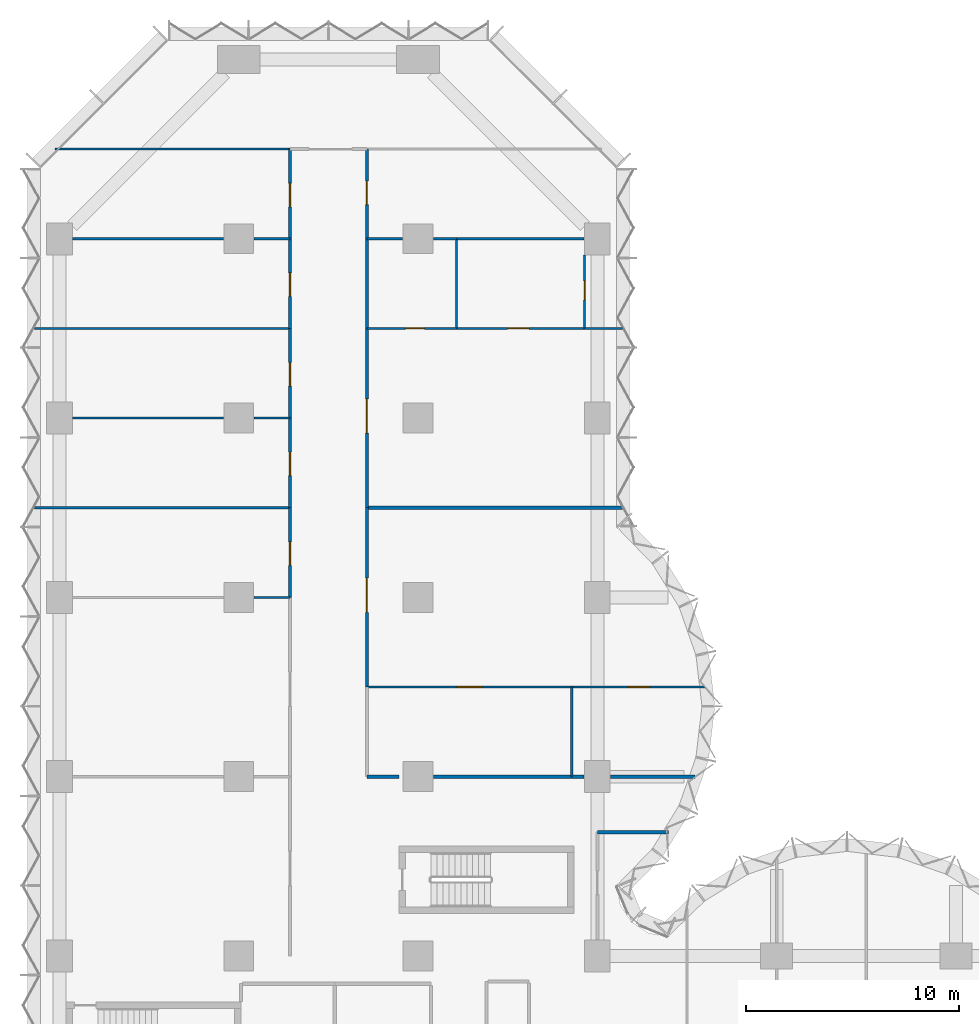
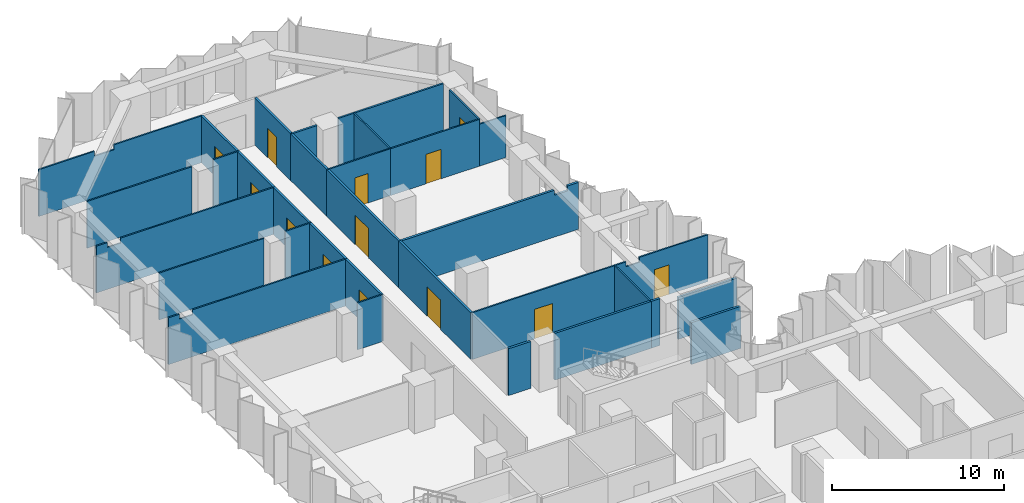
# One storey, part 11 of 15: 34 walls, 13 doors, 13 openings.
"""IFC4 building model written with IfcOpenShell, lengths in metres."""

from ifc_helpers import new_model, si_unit, direction, frame, frame_2d, origin, place, context, subcontext, project, spatial, polyline, rectangle, outline, extrude, material, layer, layer_set, type_object, element, fill, save


model = new_model("IFC4")

# Units and contexts
model_context = context("Model", 3, precision=1e-05, world=origin(), true_north=direction((0.0, 1.0)))
body_context = subcontext(model_context, "Body", "Model", "MODEL_VIEW")
ifc_project = project(units=[si_unit("LENGTHUNIT", "METRE"), si_unit("AREAUNIT", "SQUARE_METRE"), si_unit("VOLUMEUNIT", "CUBIC_METRE"), si_unit("PLANEANGLEUNIT", "RADIAN"), si_unit("MASSUNIT", "GRAM", prefix="KILO")], contexts=[model_context])

# Site, building, storey
site_placement = place(None, origin())
site = spatial("IfcSite", under=ifc_project, at=site_placement, CompositionType="ELEMENT")
building_placement = place(site_placement, origin())
building = spatial("IfcBuilding", under=site, at=building_placement, Name="Brevane Broadcast Tower", CompositionType="ELEMENT")
storey_placement = place(building_placement, frame((0.0, 0.0, 72.5)))
storey = spatial("IfcBuildingStorey", under=building, at=storey_placement, Name="L16", CompositionType="ELEMENT", Elevation=72.5)

# Walls
ifc_material_1 = material(Name="Gypsum board partition")
ifc_layer_1 = layer(ifc_material_1, 0.10009765625)
ifc_layer_set_1 = layer_set([ifc_layer_1], Name="PARTITION 100 STUD")
wall_type_1 = type_object("IfcWallType", Name="PARTITION 100 STUD", PredefinedType="PARTITIONING", material=ifc_layer_set_1)
wall_1_placement = place(storey_placement, frame((10.800048828125, 63.0, 0.0), z_axis=(0.0, 0.0, 1.0), x_axis=(-1.0, 0.0, 0.0)))
element("IfcWall", 1, at=wall_1_placement, inside=storey, type_object=wall_type_1, Name="Partition G04-054", PredefinedType="PARTITIONING", context=body_context, shape_type="SweptSolid", body=[
    extrude(outline(polyline([(0.0, 0.0), (11.0, 0.0), (11.0, 3.330078125), (7.265625, 3.330078125), (7.263671875, 2.97998046875), (5.936279296875, 2.97998046875), (5.934326171875, 3.330078125), (0.0, 3.330078125), (0.0, 0.0)])), frame((0.0, 0.050048828125, 0.0), z_axis=(0.0, -1.0, 0.0), x_axis=(1.0, 0.0, 0.0)), (0.0, 0.0, 1.0), 0.10009765625),
])
wall_2_placement = place(storey_placement, frame((9.1201171875, 42.0, 0.0), z_axis=(0.0, 0.0, 1.0), x_axis=(1.0, 0.0, 0.0)))
element("IfcWall", 2, at=wall_2_placement, inside=storey, type_object=wall_type_1, Name="Partition G04-059", PredefinedType="PARTITIONING", context=body_context, shape_type="SweptSolid", body=[
    extrude(rectangle(XDim=1.679931640625, YDim=0.10009765625, at=frame_2d((0.83984375, 0.0))), origin(), (0.0, 0.0, 1.0), 3.330078125),
])
wall_3_placement = place(storey_placement, frame((-1.174072265625, 46.199951171875, 0.0), z_axis=(0.0, 0.0, 1.0), x_axis=(1.0, 0.0, 0.0)))
element("IfcWall", 3, at=wall_3_placement, inside=storey, type_object=wall_type_1, Name="Partition G04-060", PredefinedType="PARTITIONING", context=body_context, shape_type="SweptSolid", body=[
    extrude(outline(polyline([(0.0, 0.0), (11.97412109375, 0.0), (11.97412109375, 3.330078125), (1.6240234375, 3.330078125), (1.6220703125, 2.97998046875), (0.72607421875, 2.97998046875), (0.72412109375, 3.330078125), (0.073974609375, 3.330078125), (0.0, 3.330078125), (0.0, 0.0)])), frame((0.0, 0.050048828125, 0.0), z_axis=(0.0, -1.0, 0.0), x_axis=(1.0, 0.0, 0.0)), (0.0, 0.0, 1.0), 0.10009765625),
])
wall_4_placement = place(storey_placement, frame((0.6201171875, 50.39990234375, 0.0), z_axis=(0.0, 0.0, 1.0), x_axis=(1.0, 0.0, 0.0)))
element("IfcWall", 4, at=wall_4_placement, inside=storey, type_object=wall_type_1, Name="Partition G04-061", PredefinedType="PARTITIONING", context=body_context, shape_type="SweptSolid", body=[
    extrude(rectangle(XDim=7.059814453125, YDim=0.10009765625, at=frame_2d((3.52978515625, 0.0))), origin(), (0.0, 0.0, 1.0), 3.330078125),
])
wall_5_placement = place(storey_placement, frame((9.1201171875, 50.39990234375, 0.0), z_axis=(0.0, 0.0, 1.0), x_axis=(1.0, 0.0, 0.0)))
element("IfcWall", 5, at=wall_5_placement, inside=storey, type_object=wall_type_1, Name="Partition G04-062", PredefinedType="PARTITIONING", context=body_context, shape_type="SweptSolid", body=[
    extrude(rectangle(XDim=1.679931640625, YDim=0.10009765625, at=frame_2d((0.83984375, 0.0))), origin(), (0.0, 0.0, 1.0), 3.330078125),
])
wall_6_placement = place(storey_placement, frame((-1.174072265625, 54.60009765625, 0.0), z_axis=(0.0, 0.0, 1.0), x_axis=(1.0, 0.0, 0.0)))
element("IfcWall", 6, at=wall_6_placement, inside=storey, type_object=wall_type_1, Name="Partition G04-063", PredefinedType="PARTITIONING", context=body_context, shape_type="SweptSolid", body=[
    extrude(outline(polyline([(0.0, 0.0), (11.97412109375, 0.0), (11.97412109375, 3.330078125), (1.6240234375, 3.330078125), (1.6220703125, 2.97998046875), (0.72607421875, 2.97998046875), (0.72412109375, 3.330078125), (0.073974609375, 3.330078125), (0.0, 3.330078125), (0.0, 0.0)])), frame((0.0, 0.050048828125, 0.0), z_axis=(0.0, -1.0, 0.0), x_axis=(1.0, 0.0, 0.0)), (0.0, 0.0, 1.0), 0.10009765625),
])
wall_7_placement = place(storey_placement, frame((0.6201171875, 58.800048828125, 0.0), z_axis=(0.0, 0.0, 1.0), x_axis=(1.0, 0.0, 0.0)))
element("IfcWall", 7, at=wall_7_placement, inside=storey, type_object=wall_type_1, Name="Partition G04-064", PredefinedType="PARTITIONING", context=body_context, shape_type="SweptSolid", body=[
    extrude(rectangle(XDim=7.059814453125, YDim=0.10009765625, at=frame_2d((3.52978515625, 0.0))), origin(), (0.0, 0.0, 1.0), 3.330078125),
])
wall_8_placement = place(storey_placement, frame((9.1201171875, 58.800048828125, 0.0), z_axis=(0.0, 0.0, 1.0), x_axis=(1.0, 0.0, 0.0)))
element("IfcWall", 8, at=wall_8_placement, inside=storey, type_object=wall_type_1, Name="Partition G04-065", PredefinedType="PARTITIONING", context=body_context, shape_type="SweptSolid", body=[
    extrude(rectangle(XDim=1.679931640625, YDim=0.10009765625, at=frame_2d((0.83984375, 0.0))), origin(), (0.0, 0.0, 1.0), 3.330078125),
])

# Wall, opening, door
wall_9_placement = place(storey_placement, frame((24.0, 37.800048828125, 0.0), z_axis=(0.0, 0.0, 1.0), x_axis=(-1.0, 0.0, 0.0)))
wall_9 = element("IfcWall", 9, at=wall_9_placement, inside=storey, type_object=wall_type_1, Name="Partition G04-066", PredefinedType="PARTITIONING", context=body_context, shape_type="SweptSolid", body=[
    extrude(rectangle(XDim=9.60009765625, YDim=0.10009765625, at=frame_2d((4.800048828125, 0.0))), origin(), (0.0, 0.0, 1.0), 3.330078125),
])
opening_1_placement = place(wall_9_placement, frame((4.199951171875, 0.0, 0.0)))
opening_1 = element("IfcOpeningElement", 10, at=opening_1_placement, cuts=wall_9, Name="Opening D10-023", PredefinedType="OPENING", context=body_context, shape_type="SweptSolid", body=[
    extrude(rectangle(XDim=1.199951171875, YDim=2.10009765625, at=frame_2d((0.60009765625, 1.050048828125))), frame((0.0, 0.06005859375, 0.0), z_axis=(0.0, -1.0, 0.0), x_axis=(1.0, 0.0, 0.0)), (0.0, 0.0, 1.0), 0.1201171875),
])
ifc_material_2 = material(Name="Timber door leaf", Category="wood")
door_type_1 = type_object("IfcDoorType", Name="DOOR SINGLE 1200 INTERNAL", OperationType="SINGLE_SWING_LEFT", PredefinedType="DOOR", material=ifc_material_2)
door_1_placement = place(opening_1_placement, origin())
door_1 = element("IfcDoor", 11, at=door_1_placement, inside=storey, type_object=door_type_1, Name="Door D10-023", OperationType="SINGLE_SWING_LEFT", OverallHeight=2.10009765625, OverallWidth=1.199951171875, PredefinedType="DOOR", context=body_context, shape_type="SweptSolid", body=[
    extrude(rectangle(XDim=1.199951171875, YDim=2.10009765625, at=frame_2d((0.60009765625, 1.050048828125))), frame((0.0, 0.02490234375, 0.0), z_axis=(0.0, -1.0, 0.0), x_axis=(1.0, 0.0, 0.0)), (0.0, 0.0, 1.0), 0.050048828125),
])
fill(opening_1, door_1)

wall_10_placement = place(storey_placement, frame((30.24267578125, 37.800048828125, 0.0), z_axis=(0.0, 0.0, 1.0), x_axis=(-1.0, 0.0, 0.0)))
wall_10 = element("IfcWall", 12, at=wall_10_placement, inside=storey, type_object=wall_type_1, Name="Partition G04-067", PredefinedType="PARTITIONING", context=body_context, shape_type="SweptSolid", body=[
    extrude(outline(polyline([(0.0, 0.0), (6.24267578125, 0.0), (6.24267578125, 3.330078125), (5.49267578125, 3.330078125), (5.49072265625, 2.97998046875), (4.5947265625, 2.97998046875), (4.5927734375, 3.330078125), (0.0, 3.330078125), (0.0, 0.0)])), frame((0.0, 0.050048828125, 0.0), z_axis=(0.0, -1.0, 0.0), x_axis=(1.0, 0.0, 0.0)), (0.0, 0.0, 1.0), 0.10009765625),
])
opening_2_placement = place(wall_10_placement, frame((2.60009765625, 0.0, 0.0)))
opening_2 = element("IfcOpeningElement", 13, at=opening_2_placement, cuts=wall_10, Name="Opening D10-024", PredefinedType="OPENING", context=body_context, shape_type="SweptSolid", body=[
    extrude(rectangle(XDim=1.0, YDim=2.10009765625, at=frame_2d((0.5, 1.050048828125))), frame((0.0, 0.06005859375, 0.0), z_axis=(0.0, -1.0, 0.0), x_axis=(1.0, 0.0, 0.0)), (0.0, 0.0, 1.0), 0.1201171875),
])
door_type_2 = type_object("IfcDoorType", Name="DOOR SINGLE 1000 INTERNAL", OperationType="SINGLE_SWING_LEFT", PredefinedType="DOOR", material=ifc_material_2)
door_2_placement = place(opening_2_placement, origin())
door_2 = element("IfcDoor", 14, at=door_2_placement, inside=storey, type_object=door_type_2, Name="Door D10-024", OperationType="SINGLE_SWING_LEFT", OverallHeight=2.10009765625, OverallWidth=1.0, PredefinedType="DOOR", context=body_context, shape_type="SweptSolid", body=[
    extrude(rectangle(XDim=1.0, YDim=2.10009765625, at=frame_2d((0.5, 1.050048828125))), frame((0.0, 0.02490234375, 0.0), z_axis=(0.0, -1.0, 0.0), x_axis=(1.0, 0.0, 0.0)), (0.0, 0.0, 1.0), 0.050048828125),
])
fill(opening_2, door_2)

# Wall
wall_11_placement = place(storey_placement, frame((24.0, 37.800048828125, 0.0), z_axis=(0.0, 0.0, 1.0), x_axis=(0.0, -1.0, 0.0)))
element("IfcWall", 15, at=wall_11_placement, inside=storey, type_object=wall_type_1, Name="Partition G04-069", PredefinedType="PARTITIONING", context=body_context, shape_type="SweptSolid", body=[
    extrude(rectangle(XDim=4.199951171875, YDim=0.10009765625, at=frame_2d((2.10009765625, 0.0))), origin(), (0.0, 0.0, 1.0), 3.330078125),
])

# Wall, opening, door
wall_12_placement = place(storey_placement, frame((14.39990234375, 54.60009765625, 0.0), z_axis=(0.0, 0.0, 1.0), x_axis=(1.0, 0.0, 0.0)))
wall_12 = element("IfcWall", 16, at=wall_12_placement, inside=storey, type_object=wall_type_1, Name="Partition G04-070", PredefinedType="PARTITIONING", context=body_context, shape_type="SweptSolid", body=[
    extrude(rectangle(XDim=4.2001953125, YDim=0.10009765625, at=frame_2d((2.10009765625, 0.0))), origin(), (0.0, 0.0, 1.0), 3.330078125),
])
opening_3_placement = place(wall_12_placement, frame((1.800048828125, 0.0, 0.0)))
opening_3 = element("IfcOpeningElement", 17, at=opening_3_placement, cuts=wall_12, Name="Opening D10-026", PredefinedType="OPENING", context=body_context, shape_type="SweptSolid", body=[
    extrude(rectangle(XDim=0.89990234375, YDim=2.10009765625, at=frame_2d((0.449951171875, 1.050048828125))), frame((0.0, 0.06005859375, 0.0), z_axis=(0.0, -1.0, 0.0), x_axis=(1.0, 0.0, 0.0)), (0.0, 0.0, 1.0), 0.1201171875),
])
door_type_3 = type_object("IfcDoorType", Name="DOOR SINGLE 900 INTERNAL", OperationType="SINGLE_SWING_LEFT", PredefinedType="DOOR", material=ifc_material_2)
door_3_placement = place(opening_3_placement, origin())
door_3 = element("IfcDoor", 18, at=door_3_placement, inside=storey, type_object=door_type_3, Name="Door D10-026", OperationType="SINGLE_SWING_LEFT", OverallHeight=2.10009765625, OverallWidth=0.89990234375, PredefinedType="DOOR", context=body_context, shape_type="SweptSolid", body=[
    extrude(rectangle(XDim=0.89990234375, YDim=2.10009765625, at=frame_2d((0.449951171875, 1.050048828125))), frame((0.0, 0.02490234375, 0.0), z_axis=(0.0, -1.0, 0.0), x_axis=(1.0, 0.0, 0.0)), (0.0, 0.0, 1.0), 0.050048828125),
])
fill(opening_3, door_3)

wall_13_placement = place(storey_placement, frame((18.60009765625, 54.60009765625, 0.0), z_axis=(0.0, 0.0, 1.0), x_axis=(1.0, 0.0, 0.0)))
wall_13 = element("IfcWall", 19, at=wall_13_placement, inside=storey, type_object=wall_type_1, Name="Partition G04-071", PredefinedType="PARTITIONING", context=body_context, shape_type="SweptSolid", body=[
    extrude(rectangle(XDim=6.0, YDim=0.10009765625, at=frame_2d((3.0, 0.0))), origin(), (0.0, 0.0, 1.0), 3.330078125),
])
opening_4_placement = place(wall_13_placement, frame((2.39990234375, 0.0, 0.0)))
opening_4 = element("IfcOpeningElement", 20, at=opening_4_placement, cuts=wall_13, Name="Opening D10-027", PredefinedType="OPENING", context=body_context, shape_type="SweptSolid", body=[
    extrude(rectangle(XDim=1.0, YDim=2.10009765625, at=frame_2d((0.5, 1.050048828125))), frame((0.0, 0.06005859375, 0.0), z_axis=(0.0, -1.0, 0.0), x_axis=(1.0, 0.0, 0.0)), (0.0, 0.0, 1.0), 0.1201171875),
])
door_4_placement = place(opening_4_placement, origin())
door_4 = element("IfcDoor", 21, at=door_4_placement, inside=storey, type_object=door_type_2, Name="Door D10-027", OperationType="SINGLE_SWING_LEFT", OverallHeight=2.10009765625, OverallWidth=1.0, PredefinedType="DOOR", context=body_context, shape_type="SweptSolid", body=[
    extrude(rectangle(XDim=1.0, YDim=2.10009765625, at=frame_2d((0.5, 1.050048828125))), frame((0.0, 0.02490234375, 0.0), z_axis=(0.0, -1.0, 0.0), x_axis=(1.0, 0.0, 0.0)), (0.0, 0.0, 1.0), 0.050048828125),
])
fill(opening_4, door_4)

# Walls
wall_14_placement = place(storey_placement, frame((24.60009765625, 54.60009765625, 0.0), z_axis=(0.0, 0.0, 1.0), x_axis=(1.0, 0.0, 0.0)))
element("IfcWall", 22, at=wall_14_placement, inside=storey, type_object=wall_type_1, Name="Partition G04-072", PredefinedType="PARTITIONING", context=body_context, shape_type="SweptSolid", body=[
    extrude(rectangle(XDim=1.77392578125, YDim=0.10009765625, at=frame_2d((0.886962890625, 0.0))), origin(), (0.0, 0.0, 1.0), 2.97998046875),
])
wall_15_placement = place(storey_placement, frame((18.60009765625, 58.800048828125, 0.0), z_axis=(0.0, 0.0, 1.0), x_axis=(0.0, -1.0, 0.0)))
element("IfcWall", 23, at=wall_15_placement, inside=storey, type_object=wall_type_1, Name="Partition G04-073", PredefinedType="PARTITIONING", context=body_context, shape_type="SweptSolid", body=[
    extrude(rectangle(XDim=4.199951171875, YDim=0.10009765625, at=frame_2d((2.10009765625, 0.0))), origin(), (0.0, 0.0, 1.0), 3.330078125),
])

# Wall, opening, door
wall_16_placement = place(storey_placement, frame((24.60009765625, 58.030029296875, 0.0), z_axis=(0.0, 0.0, 1.0), x_axis=(0.0, -1.0, 0.0)))
wall_16 = element("IfcWall", 24, at=wall_16_placement, inside=storey, type_object=wall_type_1, Name="Partition G04-076", PredefinedType="PARTITIONING", context=body_context, shape_type="SweptSolid", body=[
    extrude(rectangle(XDim=3.429931640625, YDim=0.10009765625, at=frame_2d((1.71484375, 0.0))), origin(), (0.0, 0.0, 1.0), 3.330078125),
])
opening_5_placement = place(wall_16_placement, frame((1.199951171875, 0.0, 0.0)))
opening_5 = element("IfcOpeningElement", 25, at=opening_5_placement, cuts=wall_16, Name="Opening D10-028", PredefinedType="OPENING", context=body_context, shape_type="SweptSolid", body=[
    extrude(rectangle(XDim=0.89990234375, YDim=2.10009765625, at=frame_2d((0.449951171875, 1.050048828125))), frame((0.0, 0.06005859375, 0.0), z_axis=(0.0, -1.0, 0.0), x_axis=(1.0, 0.0, 0.0)), (0.0, 0.0, 1.0), 0.1201171875),
])
door_5_placement = place(opening_5_placement, origin())
door_5 = element("IfcDoor", 26, at=door_5_placement, inside=storey, type_object=door_type_3, Name="Door D10-028", OperationType="SINGLE_SWING_LEFT", OverallHeight=2.10009765625, OverallWidth=0.89990234375, PredefinedType="DOOR", context=body_context, shape_type="SweptSolid", body=[
    extrude(rectangle(XDim=0.89990234375, YDim=2.10009765625, at=frame_2d((0.449951171875, 1.050048828125))), frame((0.0, 0.02490234375, 0.0), z_axis=(0.0, -1.0, 0.0), x_axis=(1.0, 0.0, 0.0)), (0.0, 0.0, 1.0), 0.050048828125),
])
fill(opening_5, door_5)

# Walls
ifc_layer_2 = layer(ifc_material_1, 0.125)
ifc_layer_set_2 = layer_set([ifc_layer_2], Name="PARTITION 125 ACOUSTIC")
wall_type_2 = type_object("IfcWallType", Name="PARTITION 125 ACOUSTIC", PredefinedType="PARTITIONING", material=ifc_layer_set_2)
wall_17_placement = place(storey_placement, frame((14.39990234375, 58.800048828125, 0.0), z_axis=(0.0, 0.0, 1.0), x_axis=(1.0, 0.0, 0.0)))
element("IfcWall", 27, at=wall_17_placement, inside=storey, type_object=wall_type_2, Name="Partition G04-074", PredefinedType="PARTITIONING", context=body_context, shape_type="SweptSolid", body=[
    extrude(rectangle(XDim=1.68017578125, YDim=0.125, at=frame_2d((0.840087890625, 0.0))), origin(), (0.0, 0.0, 1.0), 3.330078125),
])
wall_18_placement = place(storey_placement, frame((17.52001953125, 58.800048828125, 0.0), z_axis=(0.0, 0.0, 1.0), x_axis=(1.0, 0.0, 0.0)))
element("IfcWall", 28, at=wall_18_placement, inside=storey, type_object=wall_type_2, Name="Partition G04-075", PredefinedType="PARTITIONING", context=body_context, shape_type="SweptSolid", body=[
    extrude(rectangle(XDim=1.080078125, YDim=0.125, at=frame_2d((0.5400390625, 0.0))), origin(), (0.0, 0.0, 1.0), 3.330078125),
])
wall_19_placement = place(storey_placement, frame((18.60009765625, 58.800048828125, 0.0), z_axis=(0.0, 0.0, 1.0), x_axis=(1.0, 0.0, 0.0)))
element("IfcWall", 29, at=wall_19_placement, inside=storey, type_object=wall_type_2, Name="Partition G04-077", PredefinedType="PARTITIONING", context=body_context, shape_type="SweptSolid", body=[
    extrude(rectangle(XDim=5.97998046875, YDim=0.125, at=frame_2d((2.989990234375, 0.0))), origin(), (0.0, 0.0, 1.0), 3.330078125),
])
ifc_layer_3 = layer(ifc_material_1, 0.14990234375)
ifc_layer_set_3 = layer_set([ifc_layer_3], Name="PARTITION 150 EI 60")
wall_type_3 = type_object("IfcWallType", Name="PARTITION 150 EI 60", PredefinedType="PARTITIONING", material=ifc_layer_set_3)
wall_20_placement = place(storey_placement, frame((25.199951171875, 31.0, 0.0), z_axis=(0.0, 0.0, 1.0), x_axis=(1.0, 0.0, 0.0)))
element("IfcWall", 30, at=wall_20_placement, inside=storey, type_object=wall_type_3, Name="Partition G04-006", PredefinedType="PARTITIONING", context=body_context, shape_type="SweptSolid", body=[
    extrude(rectangle(XDim=3.32421875, YDim=0.14990234375, at=frame_2d((1.662109375, 0.0))), origin(), (0.0, 0.0, 1.0), 2.97998046875),
])
wall_21_placement = place(storey_placement, frame((14.39990234375, 33.60009765625, 0.0), z_axis=(0.0, 0.0, 1.0), x_axis=(1.0, 0.0, 0.0)))
element("IfcWall", 31, at=wall_21_placement, inside=storey, type_object=wall_type_3, Name="Partition G04-038", PredefinedType="PARTITIONING", context=body_context, shape_type="SweptSolid", body=[
    extrude(rectangle(XDim=1.5, YDim=0.14990234375, at=frame_2d((0.75, 0.0))), origin(), (0.0, 0.0, 1.0), 3.330078125),
])
wall_22_placement = place(storey_placement, frame((17.52001953125, 33.60009765625, 0.0), z_axis=(0.0, 0.0, 1.0), x_axis=(1.0, 0.0, 0.0)))
element("IfcWall", 32, at=wall_22_placement, inside=storey, type_object=wall_type_3, Name="Partition G04-039", PredefinedType="PARTITIONING", context=body_context, shape_type="SweptSolid", body=[
    extrude(rectangle(XDim=6.47998046875, YDim=0.14990234375, at=frame_2d((3.239990234375, 0.0))), origin(), (0.0, 0.0, 1.0), 3.330078125),
])
wall_23_placement = place(storey_placement, frame((24.0, 33.60009765625, 0.0), z_axis=(0.0, 0.0, 1.0), x_axis=(1.0, 0.0, 0.0)))
element("IfcWall", 33, at=wall_23_placement, inside=storey, type_object=wall_type_3, Name="Partition G04-040", PredefinedType="PARTITIONING", context=body_context, shape_type="SweptSolid", body=[
    extrude(rectangle(XDim=0.580078125, YDim=0.14990234375, at=frame_2d((0.2900390625, 0.0))), origin(), (0.0, 0.0, 1.0), 3.330078125),
])
wall_24_placement = place(storey_placement, frame((25.820068359375, 33.60009765625, 0.0), z_axis=(0.0, 0.0, 1.0), x_axis=(1.0, 0.0, 0.0)))
element("IfcWall", 34, at=wall_24_placement, inside=storey, type_object=wall_type_3, Name="Partition G04-041", PredefinedType="PARTITIONING", context=body_context, shape_type="SweptSolid", body=[
    extrude(rectangle(XDim=3.94189453125, YDim=0.14990234375, at=frame_2d((1.970947265625, 0.0))), origin(), (0.0, 0.0, 1.0), 2.97998046875),
])

# Wall, opening, door
wall_25_placement = place(storey_placement, frame((10.800048828125, 42.0, 0.0), z_axis=(0.0, 0.0, 1.0), x_axis=(0.0, 1.0, 0.0)))
wall_25 = element("IfcWall", 35, at=wall_25_placement, inside=storey, type_object=wall_type_3, Name="Partition G04-044", PredefinedType="PARTITIONING", context=body_context, shape_type="SweptSolid", body=[
    extrude(rectangle(XDim=4.199951171875, YDim=0.14990234375, at=frame_2d((2.10009765625, 0.0))), origin(), (0.0, 0.0, 1.0), 3.330078125),
])
opening_6_placement = place(wall_25_placement, frame((1.5, 0.0, 0.0)))
opening_6 = element("IfcOpeningElement", 36, at=opening_6_placement, cuts=wall_25, Name="Opening D10-017", PredefinedType="OPENING", context=body_context, shape_type="SweptSolid", body=[
    extrude(rectangle(XDim=1.10009765625, YDim=2.10009765625, at=frame_2d((0.550048828125, 1.050048828125))), frame((0.0, 0.0849609375, 0.0), z_axis=(0.0, -1.0, 0.0), x_axis=(1.0, 0.0, 0.0)), (0.0, 0.0, 1.0), 0.169921875),
])
ifc_material_3 = material(Name="Fire-rated timber door leaf", Category="wood")
door_type_4 = type_object("IfcDoorType", Name="DOOR SINGLE 1100 FD30S", OperationType="SINGLE_SWING_LEFT", PredefinedType="DOOR", material=ifc_material_3)
door_6_placement = place(opening_6_placement, origin())
door_6 = element("IfcDoor", 37, at=door_6_placement, inside=storey, type_object=door_type_4, Name="Door D10-017", OperationType="SINGLE_SWING_LEFT", OverallHeight=2.10009765625, OverallWidth=1.10009765625, PredefinedType="DOOR", context=body_context, shape_type="SweptSolid", body=[
    extrude(rectangle(XDim=1.10009765625, YDim=2.10009765625, at=frame_2d((0.550048828125, 1.050048828125))), frame((0.0, 0.02490234375, 0.0), z_axis=(0.0, -1.0, 0.0), x_axis=(1.0, 0.0, 0.0)), (0.0, 0.0, 1.0), 0.050048828125),
])
fill(opening_6, door_6)

wall_26_placement = place(storey_placement, frame((10.800048828125, 46.199951171875, 0.0), z_axis=(0.0, 0.0, 1.0), x_axis=(0.0, 1.0, 0.0)))
wall_26 = element("IfcWall", 38, at=wall_26_placement, inside=storey, type_object=wall_type_3, Name="Partition G04-045", PredefinedType="PARTITIONING", context=body_context, shape_type="SweptSolid", body=[
    extrude(rectangle(XDim=4.199951171875, YDim=0.14990234375, at=frame_2d((2.10009765625, 0.0))), origin(), (0.0, 0.0, 1.0), 3.330078125),
])
opening_7_placement = place(wall_26_placement, frame((1.5, 0.0, 0.0)))
opening_7 = element("IfcOpeningElement", 39, at=opening_7_placement, cuts=wall_26, Name="Opening D10-018", PredefinedType="OPENING", context=body_context, shape_type="SweptSolid", body=[
    extrude(rectangle(XDim=1.10009765625, YDim=2.10009765625, at=frame_2d((0.550048828125, 1.050048828125))), frame((0.0, 0.0849609375, 0.0), z_axis=(0.0, -1.0, 0.0), x_axis=(1.0, 0.0, 0.0)), (0.0, 0.0, 1.0), 0.169921875),
])
door_7_placement = place(opening_7_placement, origin())
door_7 = element("IfcDoor", 40, at=door_7_placement, inside=storey, type_object=door_type_4, Name="Door D10-018", OperationType="SINGLE_SWING_LEFT", OverallHeight=2.10009765625, OverallWidth=1.10009765625, PredefinedType="DOOR", context=body_context, shape_type="SweptSolid", body=[
    extrude(rectangle(XDim=1.10009765625, YDim=2.10009765625, at=frame_2d((0.550048828125, 1.050048828125))), frame((0.0, 0.02490234375, 0.0), z_axis=(0.0, -1.0, 0.0), x_axis=(1.0, 0.0, 0.0)), (0.0, 0.0, 1.0), 0.050048828125),
])
fill(opening_7, door_7)

wall_27_placement = place(storey_placement, frame((10.800048828125, 50.39990234375, 0.0), z_axis=(0.0, 0.0, 1.0), x_axis=(0.0, 1.0, 0.0)))
wall_27 = element("IfcWall", 41, at=wall_27_placement, inside=storey, type_object=wall_type_3, Name="Partition G04-046", PredefinedType="PARTITIONING", context=body_context, shape_type="SweptSolid", body=[
    extrude(rectangle(XDim=4.2001953125, YDim=0.14990234375, at=frame_2d((2.10009765625, 0.0))), origin(), (0.0, 0.0, 1.0), 3.330078125),
])
opening_8_placement = place(wall_27_placement, frame((1.5, 0.0, 0.0)))
opening_8 = element("IfcOpeningElement", 42, at=opening_8_placement, cuts=wall_27, Name="Opening D10-019", PredefinedType="OPENING", context=body_context, shape_type="SweptSolid", body=[
    extrude(rectangle(XDim=1.10009765625, YDim=2.10009765625, at=frame_2d((0.550048828125, 1.050048828125))), frame((0.0, 0.0849609375, 0.0), z_axis=(0.0, -1.0, 0.0), x_axis=(1.0, 0.0, 0.0)), (0.0, 0.0, 1.0), 0.169921875),
])
door_8_placement = place(opening_8_placement, origin())
door_8 = element("IfcDoor", 43, at=door_8_placement, inside=storey, type_object=door_type_4, Name="Door D10-019", OperationType="SINGLE_SWING_LEFT", OverallHeight=2.10009765625, OverallWidth=1.10009765625, PredefinedType="DOOR", context=body_context, shape_type="SweptSolid", body=[
    extrude(rectangle(XDim=1.10009765625, YDim=2.10009765625, at=frame_2d((0.550048828125, 1.050048828125))), frame((0.0, 0.02490234375, 0.0), z_axis=(0.0, -1.0, 0.0), x_axis=(1.0, 0.0, 0.0)), (0.0, 0.0, 1.0), 0.050048828125),
])
fill(opening_8, door_8)

wall_28_placement = place(storey_placement, frame((10.800048828125, 54.60009765625, 0.0), z_axis=(0.0, 0.0, 1.0), x_axis=(0.0, 1.0, 0.0)))
wall_28 = element("IfcWall", 44, at=wall_28_placement, inside=storey, type_object=wall_type_3, Name="Partition G04-047", PredefinedType="PARTITIONING", context=body_context, shape_type="SweptSolid", body=[
    extrude(rectangle(XDim=4.199951171875, YDim=0.14990234375, at=frame_2d((2.10009765625, 0.0))), origin(), (0.0, 0.0, 1.0), 3.330078125),
])
opening_9_placement = place(wall_28_placement, frame((1.5, 0.0, 0.0)))
opening_9 = element("IfcOpeningElement", 45, at=opening_9_placement, cuts=wall_28, Name="Opening D10-020", PredefinedType="OPENING", context=body_context, shape_type="SweptSolid", body=[
    extrude(rectangle(XDim=1.10009765625, YDim=2.10009765625, at=frame_2d((0.550048828125, 1.050048828125))), frame((0.0, 0.0849609375, 0.0), z_axis=(0.0, -1.0, 0.0), x_axis=(1.0, 0.0, 0.0)), (0.0, 0.0, 1.0), 0.169921875),
])
door_9_placement = place(opening_9_placement, origin())
door_9 = element("IfcDoor", 46, at=door_9_placement, inside=storey, type_object=door_type_4, Name="Door D10-020", OperationType="SINGLE_SWING_LEFT", OverallHeight=2.10009765625, OverallWidth=1.10009765625, PredefinedType="DOOR", context=body_context, shape_type="SweptSolid", body=[
    extrude(rectangle(XDim=1.10009765625, YDim=2.10009765625, at=frame_2d((0.550048828125, 1.050048828125))), frame((0.0, 0.02490234375, 0.0), z_axis=(0.0, -1.0, 0.0), x_axis=(1.0, 0.0, 0.0)), (0.0, 0.0, 1.0), 0.050048828125),
])
fill(opening_9, door_9)

wall_29_placement = place(storey_placement, frame((10.800048828125, 58.800048828125, 0.0), z_axis=(0.0, 0.0, 1.0), x_axis=(0.0, 1.0, 0.0)))
wall_29 = element("IfcWall", 47, at=wall_29_placement, inside=storey, type_object=wall_type_3, Name="Partition G04-048", PredefinedType="PARTITIONING", context=body_context, shape_type="SweptSolid", body=[
    extrude(rectangle(XDim=4.199951171875, YDim=0.14990234375, at=frame_2d((2.10009765625, 0.0))), origin(), (0.0, 0.0, 1.0), 3.330078125),
])
opening_10_placement = place(wall_29_placement, frame((1.5, 0.0, 0.0)))
opening_10 = element("IfcOpeningElement", 48, at=opening_10_placement, cuts=wall_29, Name="Opening D10-021", PredefinedType="OPENING", context=body_context, shape_type="SweptSolid", body=[
    extrude(rectangle(XDim=1.10009765625, YDim=2.10009765625, at=frame_2d((0.550048828125, 1.050048828125))), frame((0.0, 0.0849609375, 0.0), z_axis=(0.0, -1.0, 0.0), x_axis=(1.0, 0.0, 0.0)), (0.0, 0.0, 1.0), 0.169921875),
])
door_10_placement = place(opening_10_placement, origin())
door_10 = element("IfcDoor", 49, at=door_10_placement, inside=storey, type_object=door_type_4, Name="Door D10-021", OperationType="SINGLE_SWING_LEFT", OverallHeight=2.10009765625, OverallWidth=1.10009765625, PredefinedType="DOOR", context=body_context, shape_type="SweptSolid", body=[
    extrude(rectangle(XDim=1.10009765625, YDim=2.10009765625, at=frame_2d((0.550048828125, 1.050048828125))), frame((0.0, 0.02490234375, 0.0), z_axis=(0.0, -1.0, 0.0), x_axis=(1.0, 0.0, 0.0)), (0.0, 0.0, 1.0), 0.050048828125),
])
fill(opening_10, door_10)

wall_30_placement = place(storey_placement, frame((14.39990234375, 46.199951171875, 0.0), z_axis=(0.0, 0.0, 1.0), x_axis=(0.0, -1.0, 0.0)))
wall_30 = element("IfcWall", 50, at=wall_30_placement, inside=storey, type_object=wall_type_3, Name="Partition G04-049", PredefinedType="PARTITIONING", context=body_context, shape_type="SweptSolid", body=[
    extrude(rectangle(XDim=8.39990234375, YDim=0.14990234375, at=frame_2d((4.199951171875, 0.0))), origin(), (0.0, 0.0, 1.0), 3.330078125),
])
opening_11_placement = place(wall_30_placement, frame((3.300048828125, 0.0, 0.0)))
opening_11 = element("IfcOpeningElement", 51, at=opening_11_placement, cuts=wall_30, Name="Opening D10-022", PredefinedType="OPENING", context=body_context, shape_type="SweptSolid", body=[
    extrude(rectangle(XDim=1.60009765625, YDim=2.10009765625, at=frame_2d((0.800048828125, 1.050048828125))), frame((0.0, 0.0849609375, 0.0), z_axis=(0.0, -1.0, 0.0), x_axis=(1.0, 0.0, 0.0)), (0.0, 0.0, 1.0), 0.169921875),
])
door_type_5 = type_object("IfcDoorType", Name="DOOR DOUBLE 1600 FD30S", OperationType="DOUBLE_DOOR_SINGLE_SWING", PredefinedType="DOOR", material=ifc_material_3)
door_11_placement = place(opening_11_placement, origin())
door_11 = element("IfcDoor", 52, at=door_11_placement, inside=storey, type_object=door_type_5, Name="Door D10-022", OperationType="DOUBLE_DOOR_SINGLE_SWING", OverallHeight=2.10009765625, OverallWidth=1.60009765625, PredefinedType="DOOR", context=body_context, shape_type="SweptSolid", body=[
    extrude(rectangle(XDim=1.60009765625, YDim=2.10009765625, at=frame_2d((0.800048828125, 1.050048828125))), frame((0.0, 0.02490234375, 0.0), z_axis=(0.0, -1.0, 0.0), x_axis=(1.0, 0.0, 0.0)), (0.0, 0.0, 1.0), 0.050048828125),
])
fill(opening_11, door_11)

wall_31_placement = place(storey_placement, frame((14.39990234375, 54.60009765625, 0.0), z_axis=(0.0, 0.0, 1.0), x_axis=(0.0, -1.0, 0.0)))
wall_31 = element("IfcWall", 53, at=wall_31_placement, inside=storey, type_object=wall_type_3, Name="Partition G04-051", PredefinedType="PARTITIONING", context=body_context, shape_type="SweptSolid", body=[
    extrude(rectangle(XDim=8.400146484375, YDim=0.14990234375, at=frame_2d((4.2001953125, 0.0))), origin(), (0.0, 0.0, 1.0), 3.330078125),
])
opening_12_placement = place(wall_31_placement, frame((3.300048828125, 0.0, 0.0)))
opening_12 = element("IfcOpeningElement", 54, at=opening_12_placement, cuts=wall_31, Name="Opening D10-025", PredefinedType="OPENING", context=body_context, shape_type="SweptSolid", body=[
    extrude(rectangle(XDim=1.60009765625, YDim=2.10009765625, at=frame_2d((0.800048828125, 1.050048828125))), frame((0.0, 0.0849609375, 0.0), z_axis=(0.0, -1.0, 0.0), x_axis=(1.0, 0.0, 0.0)), (0.0, 0.0, 1.0), 0.169921875),
])
door_12_placement = place(opening_12_placement, origin())
door_12 = element("IfcDoor", 55, at=door_12_placement, inside=storey, type_object=door_type_5, Name="Door D10-025", OperationType="DOUBLE_DOOR_SINGLE_SWING", OverallHeight=2.10009765625, OverallWidth=1.60009765625, PredefinedType="DOOR", context=body_context, shape_type="SweptSolid", body=[
    extrude(rectangle(XDim=1.60009765625, YDim=2.10009765625, at=frame_2d((0.800048828125, 1.050048828125))), frame((0.0, 0.02490234375, 0.0), z_axis=(0.0, -1.0, 0.0), x_axis=(1.0, 0.0, 0.0)), (0.0, 0.0, 1.0), 0.050048828125),
])
fill(opening_12, door_12)

# Wall
wall_32_placement = place(storey_placement, frame((14.39990234375, 58.800048828125, 0.0), z_axis=(0.0, 0.0, 1.0), x_axis=(0.0, -1.0, 0.0)))
element("IfcWall", 56, at=wall_32_placement, inside=storey, type_object=wall_type_3, Name="Partition G04-052", PredefinedType="PARTITIONING", context=body_context, shape_type="SweptSolid", body=[
    extrude(rectangle(XDim=4.199951171875, YDim=0.14990234375, at=frame_2d((2.10009765625, 0.0))), origin(), (0.0, 0.0, 1.0), 3.330078125),
])

# Wall, opening, door
wall_33_placement = place(storey_placement, frame((14.39990234375, 63.0, 0.0), z_axis=(0.0, 0.0, 1.0), x_axis=(0.0, -1.0, 0.0)))
wall_33 = element("IfcWall", 57, at=wall_33_placement, inside=storey, type_object=wall_type_3, Name="Partition G04-053", PredefinedType="PARTITIONING", context=body_context, shape_type="SweptSolid", body=[
    extrude(rectangle(XDim=4.199951171875, YDim=0.14990234375, at=frame_2d((2.10009765625, 0.0))), origin(), (0.0, 0.0, 1.0), 3.330078125),
])
opening_13_placement = place(wall_33_placement, frame((1.5, 0.0, 0.0)))
opening_13 = element("IfcOpeningElement", 58, at=opening_13_placement, cuts=wall_33, Name="Opening D10-029", PredefinedType="OPENING", context=body_context, shape_type="SweptSolid", body=[
    extrude(rectangle(XDim=1.10009765625, YDim=2.10009765625, at=frame_2d((0.550048828125, 1.050048828125))), frame((0.0, 0.0849609375, 0.0), z_axis=(0.0, -1.0, 0.0), x_axis=(1.0, 0.0, 0.0)), (0.0, 0.0, 1.0), 0.169921875),
])
door_13_placement = place(opening_13_placement, origin())
door_13 = element("IfcDoor", 59, at=door_13_placement, inside=storey, type_object=door_type_4, Name="Door D10-029", OperationType="SINGLE_SWING_LEFT", OverallHeight=2.10009765625, OverallWidth=1.10009765625, PredefinedType="DOOR", context=body_context, shape_type="SweptSolid", body=[
    extrude(rectangle(XDim=1.10009765625, YDim=2.10009765625, at=frame_2d((0.550048828125, 1.050048828125))), frame((0.0, 0.02490234375, 0.0), z_axis=(0.0, -1.0, 0.0), x_axis=(1.0, 0.0, 0.0)), (0.0, 0.0, 1.0), 0.050048828125),
])
fill(opening_13, door_13)

# Wall
wall_34_placement = place(storey_placement, frame((14.39990234375, 46.199951171875, 0.0), z_axis=(0.0, 0.0, 1.0), x_axis=(1.0, 0.0, 0.0)))
element("IfcWall", 60, at=wall_34_placement, inside=storey, type_object=wall_type_3, Name="Partition G04-068", PredefinedType="PARTITIONING", context=body_context, shape_type="SweptSolid", body=[
    extrude(outline(polyline([(0.0, 0.0), (11.97412109375, 0.0), (11.97412109375, 3.330078125), (11.89990234375, 3.330078125), (11.25, 3.330078125), (11.248046875, 2.97998046875), (10.35205078125, 2.97998046875), (10.35009765625, 3.330078125), (0.0, 3.330078125), (0.0, 0.0)])), frame((0.0, 0.074951171875, 0.0), z_axis=(0.0, -1.0, 0.0), x_axis=(1.0, 0.0, 0.0)), (0.0, 0.0, 1.0), 0.14990234375),
])

save(model, "model.ifc")
